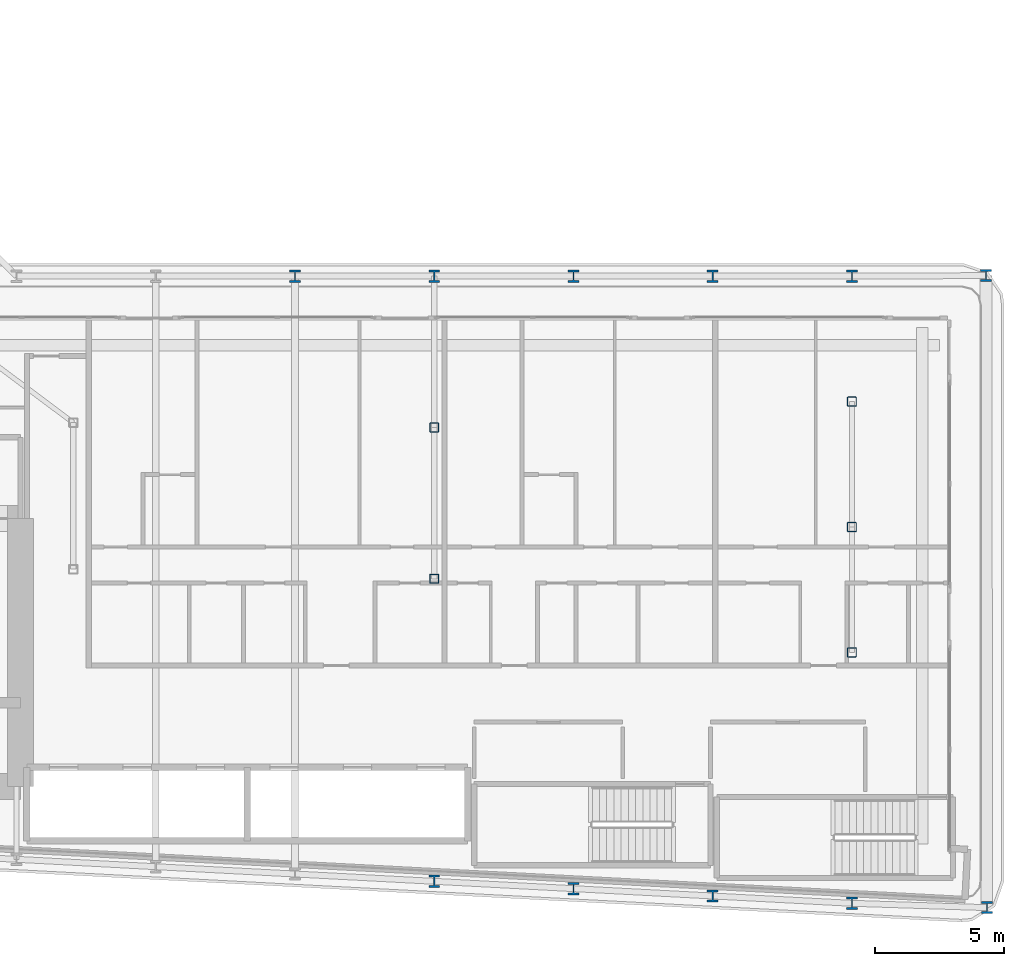
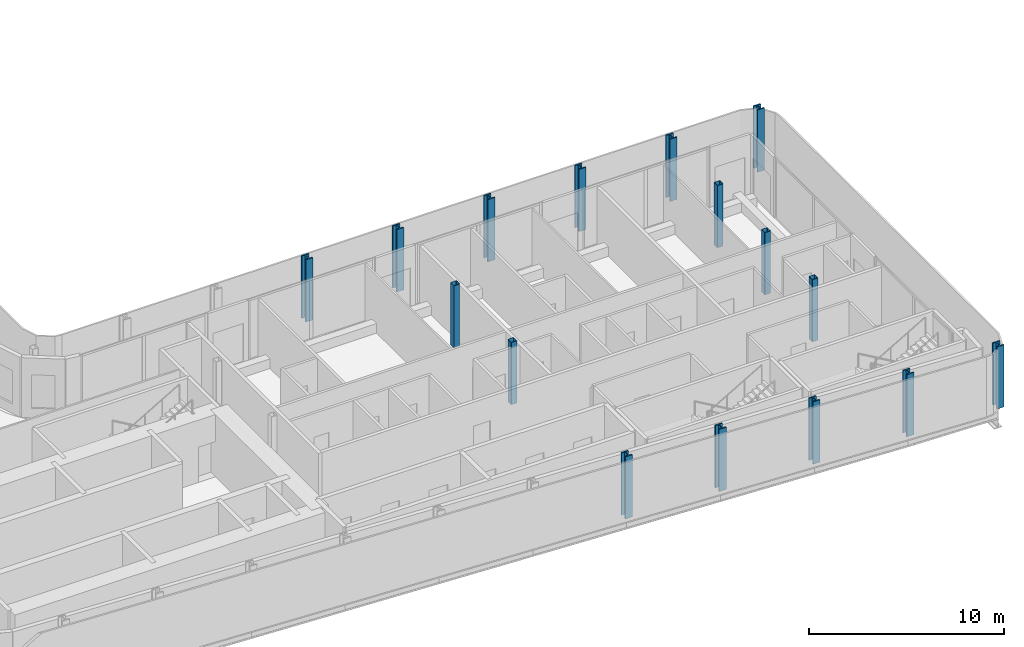
# One storey, part 2 of 25: 16 columns.
"""IFC4 building model written with IfcOpenShell, lengths in metres."""

from ifc_helpers import new_model, si_unit, direction, frame, origin, origin_2d, place, context, subcontext, project, spatial, hollow_rectangle, i_section, extrude, material, material_profile, profile_set, type_object, element, save


model = new_model("IFC4")

# Units and contexts
model_context = context("Model", 3, precision=1e-05, world=origin(), true_north=direction((0.0, 1.0)))
body_context = subcontext(model_context, "Body", "Model", "MODEL_VIEW")
ifc_project = project(units=[si_unit("LENGTHUNIT", "METRE"), si_unit("AREAUNIT", "SQUARE_METRE"), si_unit("VOLUMEUNIT", "CUBIC_METRE"), si_unit("PLANEANGLEUNIT", "RADIAN"), si_unit("MASSUNIT", "GRAM", prefix="KILO")], contexts=[model_context])

# Site, building, storey
site_placement = place(None, origin())
site = spatial("IfcSite", under=ifc_project, at=site_placement, CompositionType="ELEMENT")
building_placement = place(site_placement, origin())
building = spatial("IfcBuilding", under=site, at=building_placement, Name="Kheshtan School and Residences Tower", CompositionType="ELEMENT")
storey_placement = place(building_placement, frame((0.0, 0.0, 34.39990234375)))
storey = spatial("IfcBuildingStorey", under=building, at=storey_placement, Name="L07", CompositionType="ELEMENT", Elevation=34.39990234375)

# Columns
ifc_material_1 = material(Name="Steel ASTM A992 Grade 50", Category="steel")
ifc_material_profile_1 = material_profile(ifc_material_1, i_section(OverallWidth=0.424072265625, OverallDepth=0.47412109375, WebThickness=0.047607421875, FlangeThickness=0.0771484375, FilletRadius=0.01416015625, at=origin_2d()), Name="W360x634")
ifc_profile_set_1 = profile_set([ifc_material_profile_1], Name="Steel ASTM A992 Grade 50")
column_type_1 = type_object("IfcColumnType", Name="Column C1 W360x634 ASTM A992 Grade 50", PredefinedType="COLUMN", material=ifc_profile_set_1)
for number, where, z_axis, x_axis, name in (
    (1, (90.637939453125, 21.10693359375, 0.0), (0.0, 0.0, 1.0), (1.0, 0.0, 0.0), "Column C007"),
    (2, (85.39990234375, 21.27392578125, 0.0), (0.0, 0.0, 1.0), (1.0, 0.0, 0.0), "Column C008"),
    (3, (80.0, 21.55810546875, 0.0), (0.0, 0.0, 1.0), (1.0, 0.0, 0.0), "Column C012"),
    (4, (74.60009765625, 21.843017578125, 0.0), (0.0, 0.0, 1.0), (1.0, 0.0, 0.0), "Column C013"),
    (5, (69.199951171875, 22.126953125, 0.0), (0.0, 0.0, 1.0), (1.0, 0.0, 0.0), "Column C014"),
    (6, (63.800048828125, 45.60009765625, 0.0), (0.0, 0.0, 1.0), (1.0, 0.0, 0.0), "Column C063"),
    (7, (69.199951171875, 45.60009765625, 0.0), (0.0, 0.0, 1.0), (1.0, 0.0, 0.0), "Column C064"),
    (8, (74.60009765625, 45.60009765625, 0.0), (0.0, 0.0, 1.0), (1.0, 0.0, 0.0), "Column C065"),
    (9, (80.0, 45.60009765625, 0.0), (0.0, 0.0, 1.0), (1.0, 0.0, 0.0), "Column C066"),
    (10, (85.39990234375, 45.60009765625, 0.0), (0.0, 0.0, 1.0), (1.0, 0.0, 0.0), "Column C067"),
    (11, (90.60107421875, 45.62109375, 0.0), (0.0, 0.0, 1.0), (1.0, 0.0, 0.0), "Column C075"),
):
    element("IfcColumn", number, at=place(storey_placement, frame(where, z_axis=z_axis, x_axis=x_axis)), inside=storey, type_object=column_type_1, Name=name, PredefinedType="COLUMN", context=body_context, shape_type="SweptSolid", body=[
        extrude(i_section(OverallWidth=0.424072265625, OverallDepth=0.47412109375, WebThickness=0.047607421875, FlangeThickness=0.0771484375, FilletRadius=0.01416015625, at=origin_2d()), origin(), (0.0, 0.0, 1.0), 3.900146484375),
    ])
ifc_material_2 = material(Name="Steel ASTM A500 Grade C", Category="steel")
ifc_material_profile_2 = material_profile(ifc_material_2, hollow_rectangle(XDim=0.35595703125, YDim=0.35595703125, WallThickness=0.015869140625, InnerFilletRadius=0.015869140625, OuterFilletRadius=0.03173828125, at=origin_2d()), Name="HSS 356x356x15.9")
ifc_profile_set_2 = profile_set([ifc_material_profile_2], Name="Steel ASTM A500 Grade C")
column_type_2 = type_object("IfcColumnType", Name="Column IC1 HSS 356x356x15.9 ASTM A500 Grade C", PredefinedType="COLUMN", material=ifc_profile_set_2)
for number, where, z_axis, x_axis, name in (
    (12, (85.39990234375, 31.0048828125, 0.0), (0.0, 0.0, 1.0), (1.0, 0.0, 0.0), "Column C049"),
    (13, (69.199951171875, 33.863037109375, 0.0), (0.0, 0.0, 1.0), (1.0, 0.0, 0.0), "Column C050"),
    (14, (85.39990234375, 35.8701171875, 0.0), (0.0, 0.0, 1.0), (1.0, 0.0, 0.0), "Column C053"),
    (15, (69.199951171875, 39.73193359375, 0.0), (0.0, 0.0, 1.0), (1.0, 0.0, 0.0), "Column C054"),
    (16, (85.39990234375, 40.735107421875, 0.0), (0.0, 0.0, 1.0), (1.0, 0.0, 0.0), "Column C057"),
):
    element("IfcColumn", number, at=place(storey_placement, frame(where, z_axis=z_axis, x_axis=x_axis)), inside=storey, type_object=column_type_2, Name=name, PredefinedType="COLUMN", context=body_context, shape_type="SweptSolid", body=[
        extrude(hollow_rectangle(XDim=0.35595703125, YDim=0.35595703125, WallThickness=0.015869140625, InnerFilletRadius=0.015869140625, OuterFilletRadius=0.03173828125, at=origin_2d()), origin(), (0.0, 0.0, 1.0), 3.900146484375),
    ])

save(model, "model.ifc")
